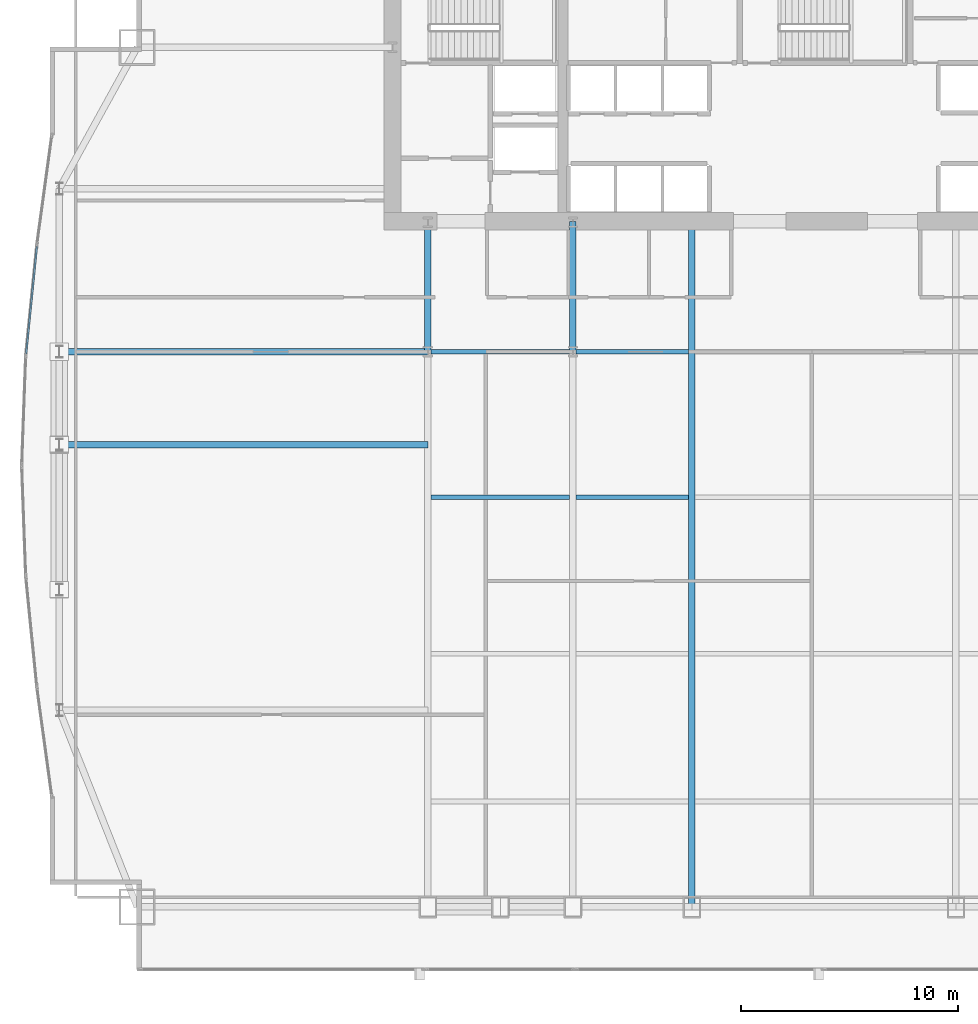
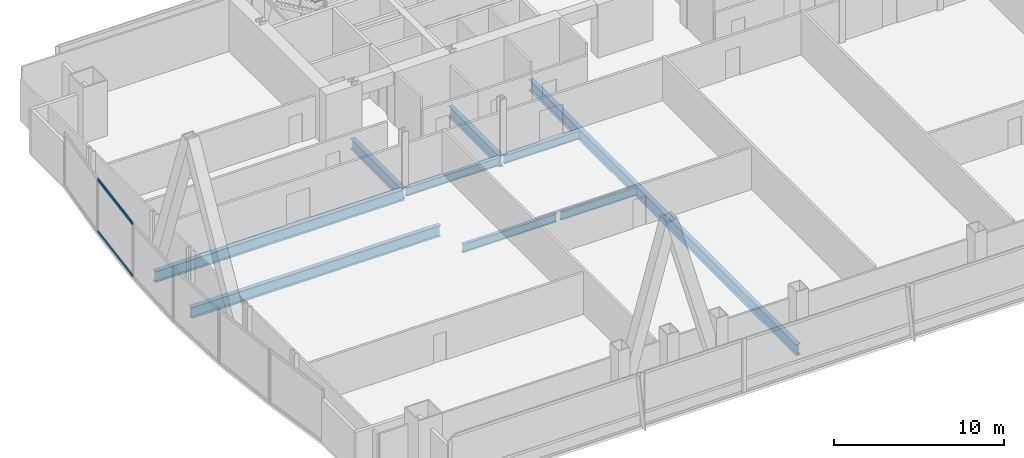
# One storey, part 11 of 35: 9 beams, 2 members, 1 element without a shape of its own.
"""IFC4 building model written with IfcOpenShell, lengths in metres."""

from ifc_helpers import new_model, si_unit, direction, frame, origin, origin_2d, place, context, subcontext, project, spatial, hollow_rectangle, i_section, extrude, material, material_profile, profile_set, type_object, element, aggregate, save


model = new_model("IFC4")

# Units and contexts
model_context = context("Model", 3, precision=1e-05, world=origin(), true_north=direction((0.0, 1.0)))
body_context = subcontext(model_context, "Body", "Model", "MODEL_VIEW")
ifc_project = project(units=[si_unit("LENGTHUNIT", "METRE"), si_unit("AREAUNIT", "SQUARE_METRE"), si_unit("VOLUMEUNIT", "CUBIC_METRE"), si_unit("PLANEANGLEUNIT", "RADIAN"), si_unit("MASSUNIT", "GRAM", prefix="KILO")], contexts=[model_context])

# Site, building, storey
site_placement = place(None, origin())
site = spatial("IfcSite", under=ifc_project, at=site_placement, CompositionType="ELEMENT")
building_placement = place(site_placement, origin())
building = spatial("IfcBuilding", under=site, at=building_placement, Name="Khoronbel Lancet Exchange", CompositionType="ELEMENT")
storey_placement = place(building_placement, frame((0.0, 0.0, 37.800048828125)))
storey = spatial("IfcBuildingStorey", under=building, at=storey_placement, Name="L08", CompositionType="ELEMENT", Elevation=37.800048828125)

# Beams
ifc_material_1 = material(Name="Steel S355", Category="steel")
ifc_material_profile_1 = material_profile(ifc_material_1, i_section(OverallWidth=0.300048828125, OverallDepth=0.800048828125, WebThickness=0.017578125, FlangeThickness=0.032958984375, at=origin_2d()), Name="HEB 800")
ifc_profile_set_1 = profile_set([ifc_material_profile_1], Name="Steel S355")
beam_type_1 = type_object("IfcBeamType", Name="BM-BG2", PredefinedType="BEAM", material=ifc_profile_set_1)
for number, where, z_axis, x_axis, name in (
    (1, (18.22509765625, 35.699951171875, -0.580078125), (0.0, 1.0, 0.0), (-1.0, 0.0, 0.0), "Level L08 spine tie girder GN1"),
    (2, (24.89990234375, 35.699951171875, -0.580078125), (0.0, 1.0, 0.0), (-1.0, 0.0, 0.0), "Level L08 spine tie girder GN2"),
):
    element("IfcBeam", number, at=place(storey_placement, frame(where, z_axis=z_axis, x_axis=x_axis)), inside=storey, type_object=beam_type_1, Name=name, PredefinedType="BEAM", context=body_context, shape_type="SweptSolid", body=[
        extrude(i_section(OverallWidth=0.300048828125, OverallDepth=0.800048828125, WebThickness=0.017578125, FlangeThickness=0.032958984375, at=origin_2d()), origin(), (0.0, 0.0, 1.0), 6.0),
    ])
beam_1_placement = place(storey_placement, frame((30.375, 10.14990234375, -0.580078125), z_axis=(0.0, 1.0, 0.0), x_axis=(-1.0, 0.0, 0.0)))
element("IfcBeam", 3, at=beam_1_placement, inside=storey, type_object=beam_type_1, Name="Level L08 primary floor girder G3", PredefinedType="BEAM", context=body_context, shape_type="SweptSolid", body=[
    extrude(i_section(OverallWidth=0.300048828125, OverallDepth=0.800048828125, WebThickness=0.017578125, FlangeThickness=0.032958984375, at=origin_2d()), origin(), (0.0, 0.0, 1.0), 31.550048828125),
])
for number, where, z_axis, x_axis, name in (
    (4, (1.27001953125, 31.425048828125, -0.580078125), (1.0, 0.0, 0.0), (0.0, 1.0, 0.0), "Level L08 west lens tie girder LG2W"),
    (5, (1.27001953125, 35.699951171875, -0.580078125), (1.0, 0.0, 0.0), (0.0, 1.0, 0.0), "Level L08 west lens tie girder LG4W"),
):
    element("IfcBeam", number, at=place(storey_placement, frame(where, z_axis=z_axis, x_axis=x_axis)), inside=storey, type_object=beam_type_1, Name=name, PredefinedType="BEAM", context=body_context, shape_type="SweptSolid", body=[
        extrude(i_section(OverallWidth=0.300048828125, OverallDepth=0.800048828125, WebThickness=0.017578125, FlangeThickness=0.032958984375, at=origin_2d()), origin(), (0.0, 0.0, 1.0), 16.955078125),
    ])
ifc_material_profile_2 = material_profile(ifc_material_1, i_section(OverallWidth=0.219970703125, OverallDepth=0.60009765625, WebThickness=0.011962890625, FlangeThickness=0.01904296875, at=origin_2d()), Name="IPE 600")
ifc_profile_set_2 = profile_set([ifc_material_profile_2], Name="Steel S355")
beam_type_2 = type_object("IfcBeamType", Name="BM-BJ1", PredefinedType="JOIST", material=ifc_profile_set_2)
beam_2_placement = place(storey_placement, frame((18.375, 29.0, -0.47998046875), z_axis=(1.0, 0.0, 0.0), x_axis=(0.0, 1.0, 0.0)))
element("IfcBeam", 6, at=beam_2_placement, inside=storey, type_object=beam_type_2, Name="Level L08 secondary composite joist J11", PredefinedType="JOIST", context=body_context, shape_type="SweptSolid", body=[
    extrude(i_section(OverallWidth=0.219970703125, OverallDepth=0.60009765625, WebThickness=0.011962890625, FlangeThickness=0.01904296875, at=origin_2d()), origin(), (0.0, 0.0, 1.0), 6.375),
])
beam_3_placement = place(storey_placement, frame((25.050048828125, 29.0, -0.47998046875), z_axis=(1.0, 0.0, 0.0), x_axis=(0.0, 1.0, 0.0)))
element("IfcBeam", 7, at=beam_3_placement, inside=storey, type_object=beam_type_2, Name="Level L08 secondary composite joist J12", PredefinedType="JOIST", context=body_context, shape_type="SweptSolid", body=[
    extrude(i_section(OverallWidth=0.219970703125, OverallDepth=0.60009765625, WebThickness=0.011962890625, FlangeThickness=0.01904296875, at=origin_2d()), origin(), (0.0, 0.0, 1.0), 5.175048828125),
])
beam_4_placement = place(storey_placement, frame((18.375, 35.699951171875, -0.47998046875), z_axis=(1.0, 0.0, 0.0), x_axis=(0.0, 1.0, 0.0)))
element("IfcBeam", 8, at=beam_4_placement, inside=storey, type_object=beam_type_2, Name="Level L08 secondary composite joist J16", PredefinedType="JOIST", context=body_context, shape_type="SweptSolid", body=[
    extrude(i_section(OverallWidth=0.219970703125, OverallDepth=0.60009765625, WebThickness=0.011962890625, FlangeThickness=0.01904296875, at=origin_2d()), origin(), (0.0, 0.0, 1.0), 6.375),
])
beam_5_placement = place(storey_placement, frame((25.050048828125, 35.699951171875, -0.47998046875), z_axis=(1.0, 0.0, 0.0), x_axis=(0.0, 1.0, 0.0)))
element("IfcBeam", 9, at=beam_5_placement, inside=storey, type_object=beam_type_2, Name="Level L08 secondary composite joist J17", PredefinedType="JOIST", context=body_context, shape_type="SweptSolid", body=[
    extrude(i_section(OverallWidth=0.219970703125, OverallDepth=0.60009765625, WebThickness=0.011962890625, FlangeThickness=0.01904296875, at=origin_2d()), origin(), (0.0, 0.0, 1.0), 5.175048828125),
])

# Curtain wall, members
ifc_material_2 = material(Name="Low-E Solar Control Insulating Glass", Category="glass")
curtain_wall_type = type_object("IfcCurtainWallType", Name="CW-4", PredefinedType="NOTDEFINED", material=ifc_material_2)
curtain_wall_placement = place(storey_placement, origin())
curtain_wall = element("IfcCurtainWall", 10, at=curtain_wall_placement, inside=storey, type_object=curtain_wall_type, Name="Unitised curtain wall CW-L08-E08", PredefinedType="NOTDEFINED")
ifc_material_3 = material(Name="Bronze-Anodised Aluminium 6063-T6", Category="aluminium")
ifc_material_profile_3 = material_profile(ifc_material_3, hollow_rectangle(XDim=0.0849609375, YDim=0.179931640625, WallThickness=0.0048828125, at=origin_2d()), Name="ALU TRANSOM 85x180")
ifc_profile_set_3 = profile_set([ifc_material_profile_3], Name="Bronze-Anodised Aluminium 6063-T6")
member_type = type_object("IfcMemberType", Name="MEM-CWT1", PredefinedType="USERDEFINED", material=ifc_profile_set_3)
member_1_placement = place(storey_placement, frame((-0.25634765625, 35.601806640625, 0.04248046875), z_axis=(0.099591541432, 0.995028404054, 0.0), x_axis=(-0.995028404054, 0.099591541432, 0.0)))
member_1 = element("IfcMember", 11, at=member_1_placement, type_object=member_type, Name="CW4 transom 1.1", ObjectType="TRANSOM", PredefinedType="USERDEFINED", context=body_context, shape_type="SweptSolid", body=[
    extrude(hollow_rectangle(XDim=0.0849609375, YDim=0.179931640625, WallThickness=0.0048828125, at=origin_2d()), origin(), (0.0, 0.0, 1.0), 4.954345703125),
])
member_2_placement = place(storey_placement, frame((-0.25634765625, 35.601806640625, 3.77734375), z_axis=(0.099591541432, 0.995028404054, 0.0), x_axis=(-0.995028404054, 0.099591541432, 0.0)))
member_2 = element("IfcMember", 12, at=member_2_placement, type_object=member_type, Name="CW4 transom 1.2", ObjectType="TRANSOM", PredefinedType="USERDEFINED", context=body_context, shape_type="SweptSolid", body=[
    extrude(hollow_rectangle(XDim=0.0849609375, YDim=0.179931640625, WallThickness=0.0048828125, at=origin_2d()), origin(), (0.0, 0.0, 1.0), 4.954345703125),
])
aggregate(curtain_wall, [member_1, member_2])

save(model, "model.ifc")
